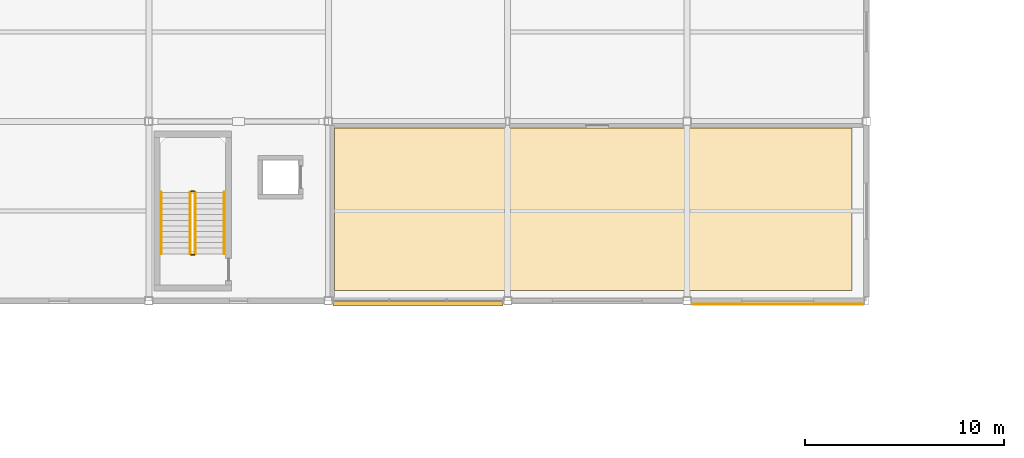
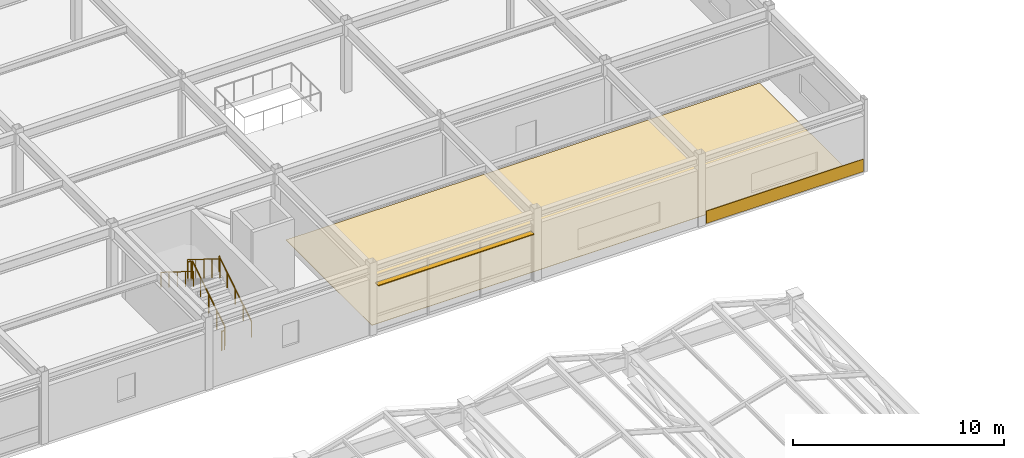
# One storey, part 100 of 108: 6 railings, 2 coverings, 1 shading device.
"""IFC4 building model written with IfcOpenShell, lengths in metres."""

from ifc_helpers import new_model, si_unit, direction, frame, origin, origin_2d, place, context, subcontext, project, spatial, polyline, rectangle, circle, outline, extrude, material, layer, layer_set, material_profile, profile_set, type_object, element, save


model = new_model("IFC4")

# Units and contexts
model_context = context("Model", 3, precision=1e-05, world=origin(), true_north=direction((0.0, 1.0)))
body_context = subcontext(model_context, "Body", "Model", "MODEL_VIEW")
ifc_project = project(units=[si_unit("LENGTHUNIT", "METRE"), si_unit("AREAUNIT", "SQUARE_METRE"), si_unit("VOLUMEUNIT", "CUBIC_METRE"), si_unit("PLANEANGLEUNIT", "RADIAN"), si_unit("MASSUNIT", "GRAM", prefix="KILO")], contexts=[model_context])

# Site, building, storey
site_placement = place(None, origin())
site = spatial("IfcSite", under=ifc_project, at=site_placement, CompositionType="ELEMENT")
building_placement = place(site_placement, origin())
building = spatial("IfcBuilding", under=site, at=building_placement, Name="Suzunagisa Mobility Hub", CompositionType="ELEMENT")
storey_placement = place(building_placement, frame((0.0, 0.0, 9.300048828125)))
storey = spatial("IfcBuildingStorey", under=building, at=storey_placement, Name="L02", CompositionType="ELEMENT", Elevation=9.300048828125)

# Railings
ifc_material_1 = material(Name="Stainless Steel SUS304", Category="metal")
railing_type_1 = type_object("IfcRailingType", Name="Interior Well Guardrail IGR-01", PredefinedType="GUARDRAIL", material=ifc_material_1)
railing_1_placement = place(storey_placement, frame((92.330078125, 82.360107421875, 0.175048828125)))
element("IfcRailing", 1, at=railing_1_placement, inside=storey, type_object=railing_type_1, Name="L02 ST-08 stair guard 1", PredefinedType="GUARDRAIL", context=body_context, shape_type="SweptSolid", body=[
    extrude(circle(Radius=0.02392578125, at=origin_2d()), frame((0.0, 0.0, 1.09619140625), z_axis=(0.0, 0.848009633417, 0.529980812513), x_axis=(-1.0, 0.0, 0.0)), (0.0, 0.0, 1.0), 3.6318359375),
    extrude(circle(Radius=0.02099609375, at=origin_2d()), origin(), (0.0, 0.0, 1.0), 1.072021484375),
    extrude(circle(Radius=0.02099609375, at=origin_2d()), frame((0.0, 0.77001953125, 0.481201171875)), (0.0, 0.0, 1.0), 1.072021484375),
    extrude(circle(Radius=0.02099609375, at=origin_2d()), frame((0.0, 1.5400390625, 0.96240234375)), (0.0, 0.0, 1.0), 1.072021484375),
    extrude(circle(Radius=0.02099609375, at=origin_2d()), frame((0.0, 2.309814453125, 1.443603515625)), (0.0, 0.0, 1.0), 1.072021484375),
    extrude(circle(Radius=0.02099609375, at=origin_2d()), frame((0.0, 3.079833984375, 1.9248046875)), (0.0, 0.0, 1.0), 1.072021484375),
])
railing_2_placement = place(storey_placement, frame((92.280029296875, 85.489990234375, 2.099853515625)))
element("IfcRailing", 2, at=railing_2_placement, inside=storey, type_object=railing_type_1, Name="L02 ST-08 stair guard 2", PredefinedType="GUARDRAIL", context=body_context, shape_type="SweptSolid", body=[
    extrude(circle(Radius=0.02392578125, at=origin_2d()), frame((0.0, 0.0, 1.09619140625), z_axis=(-1.0, 0.0, 0.0), x_axis=(0.0, -1.0, 0.0)), (0.0, 0.0, 1.0), 0.159912109375),
    extrude(circle(Radius=0.02099609375, at=origin_2d()), origin(), (0.0, 0.0, 1.0), 1.072021484375),
    extrude(circle(Radius=0.02099609375, at=origin_2d()), frame((-0.159912109375, 0.0, 0.0)), (0.0, 0.0, 1.0), 1.072021484375),
])
railing_3_placement = place(storey_placement, frame((92.070068359375, 85.43994140625, 2.27490234375)))
element("IfcRailing", 3, at=railing_3_placement, inside=storey, type_object=railing_type_1, Name="L02 ST-08 stair guard 3", PredefinedType="GUARDRAIL", context=body_context, shape_type="SweptSolid", body=[
    extrude(circle(Radius=0.02392578125, at=origin_2d()), frame((0.0, 0.0, 1.09619140625), z_axis=(0.0, -0.847979421464, 0.530029150871), x_axis=(1.0, 0.0, 0.0)), (0.0, 0.0, 1.0), 3.632080078125),
    extrude(circle(Radius=0.02099609375, at=origin_2d()), origin(), (0.0, 0.0, 1.0), 1.072021484375),
    extrude(circle(Radius=0.02099609375, at=origin_2d()), frame((0.0, -0.77001953125, 0.481201171875)), (0.0, 0.0, 1.0), 1.072021484375),
    extrude(circle(Radius=0.02099609375, at=origin_2d()), frame((0.0, -1.5400390625, 0.96240234375)), (0.0, 0.0, 1.0), 1.072021484375),
    extrude(circle(Radius=0.02099609375, at=origin_2d()), frame((0.0, -2.309814453125, 1.44384765625)), (0.0, 0.0, 1.0), 1.072021484375),
    extrude(circle(Radius=0.02099609375, at=origin_2d()), frame((0.0, -3.079833984375, 1.925048828125)), (0.0, 0.0, 1.0), 1.072021484375),
])
railing_4_placement = place(storey_placement, frame((92.280029296875, 82.31005859375, 0.0)))
element("IfcRailing", 4, at=railing_4_placement, inside=storey, type_object=railing_type_1, Name="L02 ST-08 stair guard 4", PredefinedType="GUARDRAIL", context=body_context, shape_type="SweptSolid", body=[
    extrude(circle(Radius=0.02392578125, at=origin_2d()), frame((0.0, 0.0, 1.09619140625), z_axis=(-1.0, 0.0, 0.0), x_axis=(0.0, -1.0, 0.0)), (0.0, 0.0, 1.0), 0.159912109375),
    extrude(circle(Radius=0.02099609375, at=origin_2d()), origin(), (0.0, 0.0, 1.0), 1.072021484375),
    extrude(circle(Radius=0.02099609375, at=origin_2d()), frame((-0.159912109375, 0.0, 0.0)), (0.0, 0.0, 1.0), 1.072021484375),
])

# Coverings
ifc_material_2 = material(Name="Polished Aggregate Terrazzo Finish")
ifc_layer_1 = layer(ifc_material_2, 0.02001953125)
ifc_layer_set_1 = layer_set([ifc_layer_1], Name="Polished Aggregate Terrazzo Finish")
covering_type_1 = type_object("IfcCoveringType", Name="Polished Terrazzo Heavy-Traffic Flooring FLR-01", PredefinedType="FLOORING", material=ifc_layer_set_1)
covering_1_placement = place(storey_placement, origin())
element("IfcCovering", 5, at=covering_1_placement, inside=storey, type_object=covering_type_1, Name="L02 Deck Smoke Exhaust and Charger Switchgear Room L02 Terrazzo Flooring", PredefinedType="FLOORING", context=body_context, shape_type="SweptSolid", body=[
    extrude(outline(polyline([(99.320068359375, 88.679931640625), (107.780029296875, 88.679931640625), (108.219970703125, 88.679931640625), (116.679931640625, 88.679931640625), (117.320068359375, 88.679931640625), (125.280029296875, 88.679931640625), (125.280029296875, 80.52001953125), (99.320068359375, 80.52001953125), (99.320068359375, 88.679931640625)])), origin(), (0.0, 0.0, 1.0), 0.02001953125),
])
ifc_material_3 = material(Name="Vitreous Porcelain Enamel Aluminum Cladding", Category="aluminium")
ifc_layer_2 = layer(ifc_material_3, 0.034912109375)
ifc_layer_set_2 = layer_set([ifc_layer_2], Name="Vitreous Porcelain Enamel Aluminum Cladding")
covering_type_2 = type_object("IfcCoveringType", Name="Porcelain Enamel Spandrel Cladding Band CLD-01", PredefinedType="CLADDING", material=ifc_layer_set_2)
covering_2_placement = place(storey_placement, frame((121.550048828125, 79.83251953125, 0.06005859375), z_axis=(0.0, 0.0, 1.0), x_axis=(1.0, 0.0, 0.0)))
element("IfcCovering", 6, at=covering_2_placement, inside=storey, type_object=covering_type_2, Name="L02 Porcelain Spandrel Cladding Band CLD-20", PredefinedType="CLADDING", context=body_context, shape_type="SweptSolid", body=[
    extrude(rectangle(XDim=8.60009765625, YDim=0.034912109375, at=origin_2d()), origin(), (0.0, 0.0, 1.0), 0.719970703125),
])

# Shading device
ifc_material_4 = material(Name="Fluoropolymer-Coated Extruded Aluminum 6063-T5", Category="aluminium")
ifc_material_profile = material_profile(ifc_material_4, rectangle(XDim=0.280029296875, YDim=0.044921875, at=origin_2d()), Name="FIN-280x45")
ifc_profile_set = profile_set([ifc_material_profile], Name="Fluoropolymer-Coated Extruded Aluminum 6063-T5")
shading_device_type = type_object("IfcShadingDeviceType", Name="Streamline Aluminum Sunshade SF-02 FIN-280x45", PredefinedType="JALOUSIE", material=ifc_profile_set)
shading_device_placement = place(storey_placement, frame((99.22998046875, 79.892578125, 2.800048828125), z_axis=(1.0, 0.0, 0.0), x_axis=(0.0, 1.0, 0.0)))
element("IfcShadingDevice", 7, at=shading_device_placement, inside=storey, type_object=shading_device_type, Name="L02 Streamline Speed-Rail Sunshade Fin SF-22", PredefinedType="JALOUSIE", context=body_context, shape_type="SweptSolid", body=[
    extrude(rectangle(XDim=0.280029296875, YDim=0.044921875, at=origin_2d()), origin(), (0.0, 0.0, 1.0), 8.5400390625),
])

# Railings
railing_type_2 = type_object("IfcRailingType", Name="Tubular Stainless Stair Handrail IHR-01", PredefinedType="HANDRAIL", material=ifc_material_1)
railing_5_placement = place(storey_placement, frame((93.7900390625, 82.360107421875, 0.175048828125)))
element("IfcRailing", 8, at=railing_5_placement, inside=storey, type_object=railing_type_2, Name="L02 ST-08 stair handrail 1", PredefinedType="HANDRAIL", context=body_context, shape_type="SweptSolid", body=[
    extrude(circle(Radius=0.02392578125, at=origin_2d()), frame((0.0, 0.0, 0.8759765625), z_axis=(0.0, 0.848009633417, 0.529980812513), x_axis=(-1.0, 0.0, 0.0)), (0.0, 0.0, 1.0), 3.6318359375),
    extrude(circle(Radius=0.02099609375, at=origin_2d()), origin(), (0.0, 0.0, 1.0), 0.851806640625),
    extrude(circle(Radius=0.02099609375, at=origin_2d()), frame((0.0, 0.77001953125, 0.481201171875)), (0.0, 0.0, 1.0), 0.851806640625),
    extrude(circle(Radius=0.02099609375, at=origin_2d()), frame((0.0, 1.5400390625, 0.96240234375)), (0.0, 0.0, 1.0), 0.851806640625),
    extrude(circle(Radius=0.02099609375, at=origin_2d()), frame((0.0, 2.309814453125, 1.443603515625)), (0.0, 0.0, 1.0), 0.851806640625),
    extrude(circle(Radius=0.02099609375, at=origin_2d()), frame((0.0, 3.079833984375, 1.9248046875)), (0.0, 0.0, 1.0), 0.851806640625),
])
railing_6_placement = place(storey_placement, frame((90.610107421875, 85.43994140625, 2.27490234375)))
element("IfcRailing", 9, at=railing_6_placement, inside=storey, type_object=railing_type_2, Name="L02 ST-08 stair handrail 2", PredefinedType="HANDRAIL", context=body_context, shape_type="SweptSolid", body=[
    extrude(circle(Radius=0.02392578125, at=origin_2d()), frame((0.0, 0.0, 0.8759765625), z_axis=(0.0, -0.847979421464, 0.530029150871), x_axis=(1.0, 0.0, 0.0)), (0.0, 0.0, 1.0), 3.632080078125),
    extrude(circle(Radius=0.02099609375, at=origin_2d()), origin(), (0.0, 0.0, 1.0), 0.851806640625),
    extrude(circle(Radius=0.02099609375, at=origin_2d()), frame((0.0, -0.77001953125, 0.481201171875)), (0.0, 0.0, 1.0), 0.851806640625),
    extrude(circle(Radius=0.02099609375, at=origin_2d()), frame((0.0, -1.5400390625, 0.96240234375)), (0.0, 0.0, 1.0), 0.851806640625),
    extrude(circle(Radius=0.02099609375, at=origin_2d()), frame((0.0, -2.309814453125, 1.44384765625)), (0.0, 0.0, 1.0), 0.851806640625),
    extrude(circle(Radius=0.02099609375, at=origin_2d()), frame((0.0, -3.079833984375, 1.925048828125)), (0.0, 0.0, 1.0), 0.851806640625),
])

save(model, "model.ifc")
